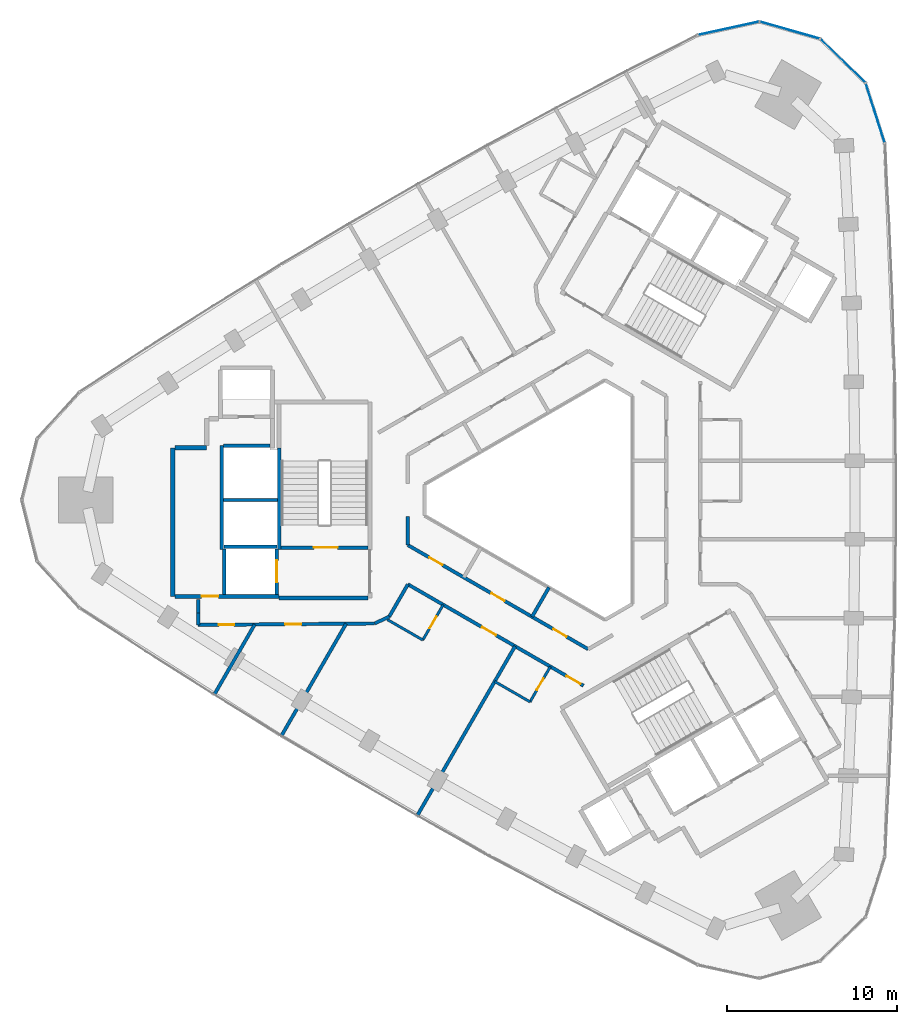
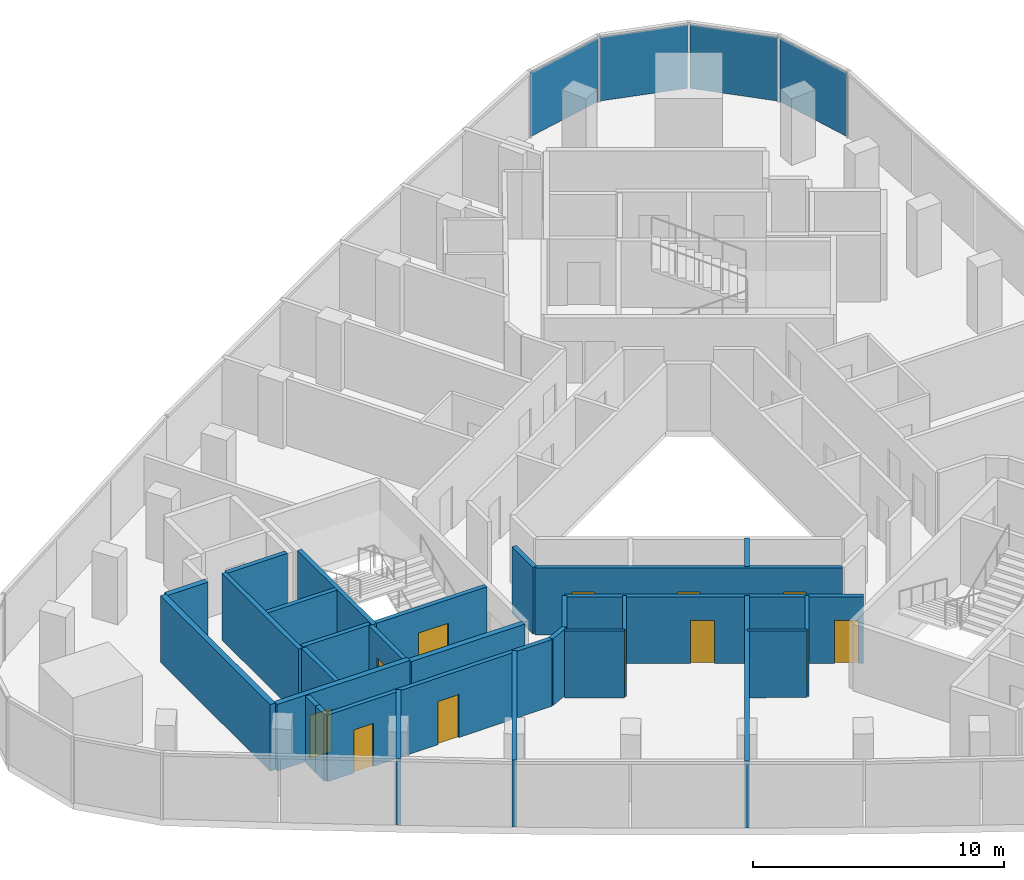
# One storey, part 7 of 12: 28 walls, 12 doors, 4 plates, 12 openings, 1 element without a shape of its own.
"""IFC4 building model written with IfcOpenShell, lengths in metres."""

from ifc_helpers import new_model, si_unit, direction, frame, frame_2d, origin, origin_2d, place, context, subcontext, project, spatial, rectangle, extrude, material, layer, layer_set, type_object, element, fill, aggregate, save


model = new_model("IFC4")

# Units and contexts
model_context = context("Model", 3, precision=1e-05, world=origin(), true_north=direction((0.0, 1.0)))
body_context = subcontext(model_context, "Body", "Model", "MODEL_VIEW")
ifc_project = project(units=[si_unit("LENGTHUNIT", "METRE"), si_unit("AREAUNIT", "SQUARE_METRE"), si_unit("VOLUMEUNIT", "CUBIC_METRE"), si_unit("PLANEANGLEUNIT", "RADIAN"), si_unit("MASSUNIT", "GRAM", prefix="KILO")], contexts=[model_context])

# Site, building, storey
site_placement = place(None, origin())
site = spatial("IfcSite", under=ifc_project, at=site_placement, CompositionType="ELEMENT")
building_placement = place(site_placement, origin())
building = spatial("IfcBuilding", under=site, at=building_placement, Name="Tamra Quay Hotel Tower", CompositionType="ELEMENT")
storey_placement = place(building_placement, frame((0.0, 0.0, 200.800048828125)))
storey = spatial("IfcBuildingStorey", under=building, at=storey_placement, Name="L50", CompositionType="ELEMENT", Elevation=200.800048828125)

# Curtain wall, plates
ifc_material_1 = material(Name="Aluminium 6063 anodised dark grey", Category="aluminium")
curtain_wall_type = type_object("IfcCurtainWallType", Name="CW1 CURTAIN WALL", PredefinedType="NOTDEFINED", material=ifc_material_1)
curtain_wall_placement = place(storey_placement, origin())
curtain_wall = element("IfcCurtainWall", 1, at=curtain_wall_placement, inside=storey, type_object=curtain_wall_type, Name="CW1 east face L50", PredefinedType="NOTDEFINED")
ifc_material_2 = material(Name="Glass clear laminated low-iron", Category="glass")
ifc_layer_1 = layer(ifc_material_2, 0.030029296875)
ifc_layer_set_1 = layer_set([ifc_layer_1], Name="GLASS PANEL CW1 Z4")
plate_type = type_object("IfcPlateType", Name="GLASS PANEL CW1 Z4", PredefinedType="CURTAIN_PANEL", material=ifc_layer_set_1)
plate_1_placement = place(storey_placement, frame((18.91064453125, 22.779541015625, 0.0), z_axis=(0.0, 0.0, 1.0), x_axis=(-0.303410479682, 0.952859948166, 0.0)))
plate_1 = element("IfcPlate", 2, at=plate_1_placement, type_object=plate_type, Name="CW1 glass L50.E.10", PredefinedType="CURTAIN_PANEL", context=body_context, shape_type="SweptSolid", body=[
    extrude(rectangle(XDim=3.62353515625, YDim=0.030029296875, at=origin_2d()), origin(), (0.0, 0.0, 1.0), 3.110107421875),
])
plate_2_placement = place(storey_placement, frame((17.009033203125, 25.849365234375, 0.0), z_axis=(0.0, 0.0, 1.0), x_axis=(-0.717974699393, 0.696069199888, 0.0)))
plate_2 = element("IfcPlate", 3, at=plate_2_placement, type_object=plate_type, Name="CW1 glass L50.E.11", PredefinedType="CURTAIN_PANEL", context=body_context, shape_type="SweptSolid", body=[
    extrude(rectangle(XDim=3.62353515625, YDim=0.030029296875, at=origin_2d()), origin(), (0.0, 0.0, 1.0), 3.110107421875),
])
plate_3_placement = place(storey_placement, frame((13.881591796875, 27.655029296875, 0.0), z_axis=(0.0, 0.0, 1.0), x_axis=(-0.961800959591, 0.273749729005, 0.0)))
plate_3 = element("IfcPlate", 4, at=plate_3_placement, type_object=plate_type, Name="CW1 glass L50.E.12", PredefinedType="CURTAIN_PANEL", context=body_context, shape_type="SweptSolid", body=[
    extrude(rectangle(XDim=3.62353515625, YDim=0.030029296875, at=origin_2d()), origin(), (0.0, 0.0, 1.0), 3.110107421875),
])
plate_4_placement = place(storey_placement, frame((10.272216796875, 27.766845703125, 0.0), z_axis=(0.0, 0.0, 1.0), x_axis=(-0.976906161202, -0.213668790904, 0.0)))
plate_4 = element("IfcPlate", 5, at=plate_4_placement, type_object=plate_type, Name="CW1 glass L50.E.13", PredefinedType="CURTAIN_PANEL", context=body_context, shape_type="SweptSolid", body=[
    extrude(rectangle(XDim=3.62353515625, YDim=0.030029296875, at=origin_2d()), origin(), (0.0, 0.0, 1.0), 3.110107421875),
])
aggregate(curtain_wall, [plate_1, plate_2, plate_3, plate_4])

# Walls
ifc_material_3 = material(Name="Concrete M70", Category="concrete")
ifc_layer_2 = layer(ifc_material_3, 0.199951171875)
ifc_layer_set_2 = layer_set([ifc_layer_2], Name="Concrete M70 core wall 200")
wall_type_1 = type_object("IfcWallType", Name="Concrete M70 core wall 200", PredefinedType="SHEAR", material=ifc_layer_set_2)
wall_1_placement = place(storey_placement, frame((-16.162109375, 3.073974609375, 0.0), z_axis=(0.0, 0.0, 1.0), x_axis=(0.0, -1.0, 0.0)))
element("IfcWall", 6, at=wall_1_placement, inside=storey, type_object=wall_type_1, Name="CW2", PredefinedType="SHEAR", context=body_context, shape_type="SweptSolid", body=[
    extrude(rectangle(XDim=5.97412109375, YDim=0.199951171875, at=frame_2d((2.987060546875, 0.0))), origin(), (0.0, 0.0, 1.0), 3.25),
])
wall_2_placement = place(storey_placement, frame((-19.5625, -2.900146484375, 0.0), z_axis=(0.0, 0.0, 1.0), x_axis=(0.0, 1.0, 0.0)))
element("IfcWall", 7, at=wall_2_placement, inside=storey, type_object=wall_type_1, Name="CW2", PredefinedType="SHEAR", context=body_context, shape_type="SweptSolid", body=[
    extrude(rectangle(XDim=6.100341796875, YDim=0.199951171875, at=frame_2d((3.05029296875, 0.0))), origin(), (0.0, 0.0, 1.0), 3.25),
])

# Wall, opening, door
wall_3_placement = place(storey_placement, frame((-10.96337890625, -2.800048828125, 0.0), z_axis=(0.0, 0.0, 1.0), x_axis=(-1.0, 0.0, 0.0)))
wall_3 = element("IfcWall", 8, at=wall_3_placement, inside=storey, type_object=wall_type_1, Name="CW2", PredefinedType="SHEAR", context=body_context, shape_type="SweptSolid", body=[
    extrude(rectangle(XDim=5.097900390625, YDim=0.199951171875, at=frame_2d((2.548828125, 0.0))), origin(), (0.0, 0.0, 1.0), 3.25),
])
opening_1_placement = place(wall_3_placement, frame((1.77392578125, 0.0, 0.0)))
opening_1 = element("IfcOpeningElement", 9, at=opening_1_placement, cuts=wall_3, Name="Opening FD2", PredefinedType="OPENING", context=body_context, shape_type="SweptSolid", body=[
    extrude(rectangle(XDim=1.39990234375, YDim=2.10009765625, at=frame_2d((0.699951171875, 1.050048828125))), frame((0.0, 0.10986328125, 0.0), z_axis=(0.0, -1.0, 0.0), x_axis=(1.0, 0.0, 0.0)), (0.0, 0.0, 1.0), 0.219970703125),
])
ifc_material_4 = material(Name="Core door FD2 1400x2100 RH")
door_type_1 = type_object("IfcDoorType", Name="Core door FD2 1400x2100 RH", OperationType="NOTDEFINED", PredefinedType="DOOR", material=ifc_material_4)
door_1_placement = place(opening_1_placement, origin())
door_1 = element("IfcDoor", 10, at=door_1_placement, inside=storey, type_object=door_type_1, Name="FD2", OperationType="SINGLE_SWING_RIGHT", OverallHeight=2.10009765625, OverallWidth=1.39990234375, PredefinedType="DOOR", context=body_context, shape_type="SweptSolid", body=[
    extrude(rectangle(XDim=1.39990234375, YDim=2.10009765625, at=frame_2d((0.699951171875, 1.050048828125))), frame((0.0, 0.02490234375, 0.0), z_axis=(0.0, -1.0, 0.0), x_axis=(1.0, 0.0, 0.0)), (0.0, 0.0, 1.0), 0.050048828125),
])
fill(opening_1, door_1)

# Walls
wall_4_placement = place(storey_placement, frame((-16.26318359375, 0.0, 0.0), z_axis=(0.0, 0.0, 1.0), x_axis=(-1.0, 0.0, 0.0)))
element("IfcWall", 11, at=wall_4_placement, inside=storey, type_object=wall_type_1, Name="CW2", PredefinedType="SHEAR", context=body_context, shape_type="SweptSolid", body=[
    extrude(rectangle(XDim=3.1982421875, YDim=0.199951171875, at=frame_2d((1.59912109375, 0.0))), origin(), (0.0, 0.0, 1.0), 3.25),
])
wall_5_placement = place(storey_placement, frame((-19.46240234375, 3.2001953125, 0.0), z_axis=(0.0, 0.0, 1.0), x_axis=(1.0, 0.0, 0.0)))
element("IfcWall", 12, at=wall_5_placement, inside=storey, type_object=wall_type_1, Name="CW2", PredefinedType="SHEAR", context=body_context, shape_type="SweptSolid", body=[
    extrude(rectangle(XDim=2.759033203125, YDim=0.199951171875, at=frame_2d((1.37939453125, 0.0))), origin(), (0.0, 0.0, 1.0), 3.25),
])
wall_6_placement = place(storey_placement, frame((-19.412353515625, -2.75, 0.0), z_axis=(0.0, 0.0, 1.0), x_axis=(1.0, 0.0, 0.0)))
element("IfcWall", 13, at=wall_6_placement, inside=storey, type_object=wall_type_1, Name="CW2", PredefinedType="SHEAR", context=body_context, shape_type="SweptSolid", body=[
    extrude(rectangle(XDim=3.10009765625, YDim=0.199951171875, at=frame_2d((1.550048828125, 0.0))), origin(), (0.0, 0.0, 1.0), 3.25),
])

# Wall, opening, door
wall_7_placement = place(storey_placement, frame((-16.312255859375, -2.898193359375, 0.0), z_axis=(0.0, 0.0, 1.0), x_axis=(0.0, -1.0, 0.0)))
wall_7 = element("IfcWall", 14, at=wall_7_placement, inside=storey, type_object=wall_type_1, Name="CW2", PredefinedType="SHEAR", context=body_context, shape_type="SweptSolid", body=[
    extrude(rectangle(XDim=2.65087890625, YDim=0.199951171875, at=frame_2d((1.325439453125, 0.0))), origin(), (0.0, 0.0, 1.0), 3.25),
])
opening_2_placement = place(wall_7_placement, frame((0.65185546875, 0.0, 0.0)))
opening_2 = element("IfcOpeningElement", 15, at=opening_2_placement, cuts=wall_7, Name="Opening LD", PredefinedType="OPENING", context=body_context, shape_type="SweptSolid", body=[
    extrude(rectangle(XDim=1.300048828125, YDim=2.10009765625, at=frame_2d((0.64990234375, 1.050048828125))), frame((0.0, 0.10986328125, 0.0), z_axis=(0.0, -1.0, 0.0), x_axis=(1.0, 0.0, 0.0)), (0.0, 0.0, 1.0), 0.219970703125),
])
ifc_material_5 = material(Name="Landing door LD 1300 sliding to right")
door_type_2 = type_object("IfcDoorType", Name="Landing door LD 1300 sliding to right", OperationType="NOTDEFINED", PredefinedType="DOOR", material=ifc_material_5)
door_2_placement = place(opening_2_placement, origin())
door_2 = element("IfcDoor", 16, at=door_2_placement, inside=storey, type_object=door_type_2, Name="LD", OperationType="SLIDING_TO_RIGHT", OverallHeight=2.10009765625, OverallWidth=1.300048828125, PredefinedType="DOOR", context=body_context, shape_type="SweptSolid", body=[
    extrude(rectangle(XDim=1.300048828125, YDim=2.10009765625, at=frame_2d((0.64990234375, 1.050048828125))), frame((0.0, 0.02490234375, 0.0), z_axis=(0.0, -1.0, 0.0), x_axis=(1.0, 0.0, 0.0)), (0.0, 0.0, 1.0), 0.050048828125),
])
fill(opening_2, door_2)

# Walls
wall_8_placement = place(storey_placement, frame((-19.412353515625, -5.549072265625, 0.0), z_axis=(0.0, 0.0, 1.0), x_axis=(0.0, 1.0, 0.0)))
element("IfcWall", 17, at=wall_8_placement, inside=storey, type_object=wall_type_1, Name="CW2", PredefinedType="SHEAR", context=body_context, shape_type="SweptSolid", body=[
    extrude(rectangle(XDim=2.65087890625, YDim=0.199951171875, at=frame_2d((1.325439453125, 0.0))), origin(), (0.0, 0.0, 1.0), 3.25),
])
ifc_layer_3 = layer(ifc_material_3, 0.25)
ifc_layer_set_3 = layer_set([ifc_layer_3], Name="Concrete M70 core wall 250")
wall_type_2 = type_object("IfcWallType", Name="Concrete M70 core wall 250", PredefinedType="SHEAR", material=ifc_layer_set_3)
wall_9_placement = place(storey_placement, frame((-22.437255859375, -5.675048828125, 0.0), z_axis=(0.0, 0.0, 1.0), x_axis=(0.0, 1.0, 0.0)))
element("IfcWall", 18, at=wall_9_placement, inside=storey, type_object=wall_type_2, Name="CW1", PredefinedType="SHEAR", context=body_context, shape_type="SweptSolid", body=[
    extrude(rectangle(XDim=8.75, YDim=0.25, at=frame_2d((4.375, 0.0))), origin(), (0.0, 0.0, 1.0), 3.25),
])

# Wall, opening, door
wall_10_placement = place(storey_placement, frame((-16.187255859375, -5.675048828125, 0.0), z_axis=(0.0, 0.0, 1.0), x_axis=(-1.0, 0.0, 0.0)))
wall_10 = element("IfcWall", 19, at=wall_10_placement, inside=storey, type_object=wall_type_2, Name="CW1", PredefinedType="SHEAR", context=body_context, shape_type="SweptSolid", body=[
    extrude(rectangle(XDim=6.12451171875, YDim=0.25, at=frame_2d((3.062255859375, 0.0))), origin(), (0.0, 0.0, 1.0), 3.25),
])
opening_3_placement = place(wall_10_placement, frame((3.562744140625, 0.0, 0.0)))
opening_3 = element("IfcOpeningElement", 20, at=opening_3_placement, cuts=wall_10, Name="Opening FD3", PredefinedType="OPENING", context=body_context, shape_type="SweptSolid", body=[
    extrude(rectangle(XDim=1.0, YDim=2.10009765625, at=frame_2d((0.5, 1.050048828125))), frame((0.0, 0.135009765625, 0.0), z_axis=(0.0, -1.0, 0.0), x_axis=(1.0, 0.0, 0.0)), (0.0, 0.0, 1.0), 0.27001953125),
])
ifc_material_6 = material(Name="Core door FD3 1000x2100 LH")
door_type_3 = type_object("IfcDoorType", Name="Core door FD3 1000x2100 LH", OperationType="NOTDEFINED", PredefinedType="DOOR", material=ifc_material_6)
door_3_placement = place(opening_3_placement, origin())
door_3 = element("IfcDoor", 21, at=door_3_placement, inside=storey, type_object=door_type_3, Name="FD3", OperationType="SINGLE_SWING_LEFT", OverallHeight=2.10009765625, OverallWidth=1.0, PredefinedType="DOOR", context=body_context, shape_type="SweptSolid", body=[
    extrude(rectangle(XDim=1.0, YDim=2.10009765625, at=frame_2d((0.5, 1.050048828125))), frame((0.0, 0.02490234375, 0.0), z_axis=(0.0, -1.0, 0.0), x_axis=(1.0, 0.0, 0.0)), (0.0, 0.0, 1.0), 0.050048828125),
])
fill(opening_3, door_3)

# Walls
wall_11_placement = place(storey_placement, frame((-10.962646484375, -5.77490234375, 0.0), z_axis=(0.0, 0.0, 1.0), x_axis=(-1.0, 0.0, 0.0)))
element("IfcWall", 22, at=wall_11_placement, inside=storey, type_object=wall_type_2, Name="CW1", PredefinedType="SHEAR", context=body_context, shape_type="SweptSolid", body=[
    extrude(rectangle(XDim=5.224609375, YDim=0.25, at=frame_2d((2.6123046875, 0.0))), origin(), (0.0, 0.0, 1.0), 3.25),
])
wall_12_placement = place(storey_placement, frame((-22.311767578125, 3.074951171875, 0.0), z_axis=(0.0, 0.0, 1.0), x_axis=(1.0, 0.0, 0.0)))
element("IfcWall", 23, at=wall_12_placement, inside=storey, type_object=wall_type_2, Name="CW1", PredefinedType="SHEAR", context=body_context, shape_type="SweptSolid", body=[
    extrude(rectangle(XDim=1.864501953125, YDim=0.25, at=frame_2d((0.93212890625, 0.0))), origin(), (0.0, 0.0, 1.0), 3.25),
])
ifc_material_7 = material(Name="Partition corridor wall")
ifc_layer_4 = layer(ifc_material_7, 0.199951171875)
ifc_layer_set_4 = layer_set([ifc_layer_4], Name="Partition corridor wall")
wall_type_3 = type_object("IfcWallType", Name="Partition corridor wall", PredefinedType="PARTITIONING", material=ifc_layer_set_4)
wall_13_placement = place(storey_placement, frame((-20.949951171875, -6.64990234375, 0.0), z_axis=(0.0, 0.0, 1.0), x_axis=(0.0, 1.0, 0.0)))
element("IfcWall", 24, at=wall_13_placement, inside=storey, type_object=wall_type_3, Name="W-C", PredefinedType="PARTITIONING", context=body_context, shape_type="SweptSolid", body=[
    extrude(rectangle(XDim=0.789794921875, YDim=0.199951171875, at=frame_2d((0.39501953125, 0.0))), origin(), (0.0, 0.0, 1.0), 3.25),
])
wall_14_placement = place(storey_placement, frame((-20.947021484375, -6.653076171875, 0.0), z_axis=(0.0, 0.0, 1.0), x_axis=(0.004173876686, -0.999991289339, 0.0)))
element("IfcWall", 25, at=wall_14_placement, inside=storey, type_object=wall_type_3, Name="W-C", PredefinedType="PARTITIONING", context=body_context, shape_type="SweptSolid", body=[
    extrude(rectangle(XDim=0.701904296875, YDim=0.199951171875, at=frame_2d((0.35107421875, 0.0))), origin(), (0.0, 0.0, 1.0), 3.25),
])

# Wall, openings, doors
wall_15_placement = place(storey_placement, frame((-20.944091796875, -7.35595703125, 0.0), z_axis=(0.0, 0.0, 1.0), x_axis=(0.999964824566, 0.00838746869, 0.0)))
wall_15 = element("IfcWall", 26, at=wall_15_placement, inside=storey, type_object=wall_type_3, Name="W-C", PredefinedType="PARTITIONING", context=body_context, shape_type="SweptSolid", body=[
    extrude(rectangle(XDim=10.391357421875, YDim=0.199951171875, at=frame_2d((5.19580078125, 0.0))), origin(), (0.0, 0.0, 1.0), 3.25),
])
opening_4_placement = place(wall_15_placement, frame((1.22021484375, 0.0, 0.0)))
opening_4 = element("IfcOpeningElement", 27, at=opening_4_placement, cuts=wall_15, Name="Opening L50-D015", PredefinedType="OPENING", context=body_context, shape_type="SweptSolid", body=[
    extrude(rectangle(XDim=0.89990234375, YDim=2.10009765625, at=frame_2d((0.449951171875, 1.050048828125))), frame((0.0, 0.10986328125, 0.0), z_axis=(0.0, -1.0, 0.0), x_axis=(1.0, 0.0, 0.0)), (0.0, 0.0, 1.0), 0.219970703125),
])
opening_5_placement = place(wall_15_placement, frame((5.119384765625, 0.0, 0.0)))
opening_5 = element("IfcOpeningElement", 28, at=opening_5_placement, cuts=wall_15, Name="Opening L50-D016", PredefinedType="OPENING", context=body_context, shape_type="SweptSolid", body=[
    extrude(rectangle(XDim=0.949951171875, YDim=2.10009765625, at=frame_2d((0.47509765625, 1.050048828125))), frame((0.0, 0.10986328125, 0.0), z_axis=(0.0, -1.0, 0.0), x_axis=(1.0, 0.0, 0.0)), (0.0, 0.0, 1.0), 0.219970703125),
])
ifc_material_8 = material(Name="Door guest room 950x2100")
door_type_4 = type_object("IfcDoorType", Name="Door guest room 950x2100", OperationType="NOTDEFINED", PredefinedType="DOOR", material=ifc_material_8)
door_4_placement = place(opening_5_placement, frame((0.949951171875, 0.0, 0.0), z_axis=(0.0, 0.0, 1.0), x_axis=(-1.0, 0.0, 0.0)))
door_4 = element("IfcDoor", 29, at=door_4_placement, inside=storey, type_object=door_type_4, Name="L50-D016", OperationType="SINGLE_SWING_LEFT", OverallHeight=2.10009765625, OverallWidth=0.949951171875, PredefinedType="DOOR", context=body_context, shape_type="SweptSolid", body=[
    extrude(rectangle(XDim=0.949951171875, YDim=2.10009765625, at=frame_2d((0.47509765625, 1.050048828125))), frame((0.0, 0.02490234375, 0.0), z_axis=(0.0, -1.0, 0.0), x_axis=(1.0, 0.0, 0.0)), (0.0, 0.0, 1.0), 0.050048828125),
])
fill(opening_5, door_4)
ifc_material_9 = material(Name="Door service room 900x2100")
door_type_5 = type_object("IfcDoorType", Name="Door service room 900x2100", OperationType="NOTDEFINED", PredefinedType="DOOR", material=ifc_material_9)
door_5_placement = place(opening_4_placement, origin())
door_5 = element("IfcDoor", 30, at=door_5_placement, inside=storey, type_object=door_type_5, Name="L50-D015", OperationType="SINGLE_SWING_LEFT", OverallHeight=2.10009765625, OverallWidth=0.89990234375, PredefinedType="DOOR", context=body_context, shape_type="SweptSolid", body=[
    extrude(rectangle(XDim=0.89990234375, YDim=2.10009765625, at=frame_2d((0.449951171875, 1.050048828125))), frame((0.0, 0.02490234375, 0.0), z_axis=(0.0, -1.0, 0.0), x_axis=(1.0, 0.0, 0.0)), (0.0, 0.0, 1.0), 0.050048828125),
])
fill(opening_4, door_5)

# Walls
wall_16_placement = place(storey_placement, frame((-10.552001953125, -7.26806640625, 0.0), z_axis=(0.0, 0.0, 1.0), x_axis=(0.904331815333, 0.426830139255, 0.0)))
element("IfcWall", 31, at=wall_16_placement, inside=storey, type_object=wall_type_3, Name="W-C", PredefinedType="PARTITIONING", context=body_context, shape_type="SweptSolid", body=[
    extrude(rectangle(XDim=0.9443359375, YDim=0.199951171875, at=frame_2d((0.47216796875, 0.0))), origin(), (0.0, 0.0, 1.0), 3.25),
])
wall_17_placement = place(storey_placement, frame((-9.697021484375, -6.864013671875, 0.0), z_axis=(0.0, 0.0, 1.0), x_axis=(0.499863831834, 0.866104006239, 0.0)))
element("IfcWall", 32, at=wall_17_placement, inside=storey, type_object=wall_type_3, Name="W-C", PredefinedType="PARTITIONING", context=body_context, shape_type="SweptSolid", body=[
    extrude(rectangle(XDim=2.1923828125, YDim=0.199951171875, at=frame_2d((1.09619140625, 0.0))), origin(), (0.0, 0.0, 1.0), 3.25),
])
wall_18_placement = place(storey_placement, frame((-8.612060546875, -2.64892578125, 0.0), z_axis=(0.0, 0.0, 1.0), x_axis=(0.0, 1.0, 0.0)))
element("IfcWall", 33, at=wall_18_placement, inside=storey, type_object=wall_type_3, Name="W-C", PredefinedType="PARTITIONING", context=body_context, shape_type="SweptSolid", body=[
    extrude(rectangle(XDim=1.6669921875, YDim=0.199951171875, at=frame_2d((0.83349609375, 0.0))), origin(), (0.0, 0.0, 1.0), 3.25),
])

# Wall, openings, doors
wall_19_placement = place(storey_placement, frame((-8.612060546875, -2.64892578125, 0.0), z_axis=(0.0, 0.0, 1.0), x_axis=(0.866060983284, -0.499938369435, 0.0)))
wall_19 = element("IfcWall", 34, at=wall_19_placement, inside=storey, type_object=wall_type_3, Name="W-C", PredefinedType="PARTITIONING", context=body_context, shape_type="SweptSolid", body=[
    extrude(rectangle(XDim=12.267578125, YDim=0.199951171875, at=frame_2d((6.1337890625, 0.0))), origin(), (0.0, 0.0, 1.0), 3.25),
])
opening_6_placement = place(wall_19_placement, frame((1.46337890625, 0.0, 0.0)))
opening_6 = element("IfcOpeningElement", 35, at=opening_6_placement, cuts=wall_19, Name="Opening L50-D027", PredefinedType="OPENING", context=body_context, shape_type="SweptSolid", body=[
    extrude(rectangle(XDim=0.89990234375, YDim=2.10009765625, at=frame_2d((0.449951171875, 1.050048828125))), frame((0.0, 0.10986328125, 0.0), z_axis=(0.0, -1.0, 0.0), x_axis=(1.0, 0.0, 0.0)), (0.0, 0.0, 1.0), 0.219970703125),
])
opening_7_placement = place(wall_19_placement, frame((5.683349609375, 0.0, 0.0)))
opening_7 = element("IfcOpeningElement", 36, at=opening_7_placement, cuts=wall_19, Name="Opening L50-D028", PredefinedType="OPENING", context=body_context, shape_type="SweptSolid", body=[
    extrude(rectangle(XDim=0.89990234375, YDim=2.10009765625, at=frame_2d((0.449951171875, 1.050048828125))), frame((0.0, 0.10986328125, 0.0), z_axis=(0.0, -1.0, 0.0), x_axis=(1.0, 0.0, 0.0)), (0.0, 0.0, 1.0), 0.219970703125),
])
opening_8_placement = place(wall_19_placement, frame((9.904052734375, 0.0, 0.0)))
opening_8 = element("IfcOpeningElement", 37, at=opening_8_placement, cuts=wall_19, Name="Opening L50-D029", PredefinedType="OPENING", context=body_context, shape_type="SweptSolid", body=[
    extrude(rectangle(XDim=0.89990234375, YDim=2.10009765625, at=frame_2d((0.449951171875, 1.050048828125))), frame((0.0, 0.10986328125, 0.0), z_axis=(0.0, -1.0, 0.0), x_axis=(1.0, 0.0, 0.0)), (0.0, 0.0, 1.0), 0.219970703125),
])
door_6_placement = place(opening_6_placement, origin())
door_6 = element("IfcDoor", 38, at=door_6_placement, inside=storey, type_object=door_type_5, Name="L50-D027", OperationType="SINGLE_SWING_LEFT", OverallHeight=2.10009765625, OverallWidth=0.89990234375, PredefinedType="DOOR", context=body_context, shape_type="SweptSolid", body=[
    extrude(rectangle(XDim=0.89990234375, YDim=2.10009765625, at=frame_2d((0.449951171875, 1.050048828125))), frame((0.0, 0.02490234375, 0.0), z_axis=(0.0, -1.0, 0.0), x_axis=(1.0, 0.0, 0.0)), (0.0, 0.0, 1.0), 0.050048828125),
])
fill(opening_6, door_6)
door_7_placement = place(opening_7_placement, origin())
door_7 = element("IfcDoor", 39, at=door_7_placement, inside=storey, type_object=door_type_5, Name="L50-D028", OperationType="SINGLE_SWING_LEFT", OverallHeight=2.10009765625, OverallWidth=0.89990234375, PredefinedType="DOOR", context=body_context, shape_type="SweptSolid", body=[
    extrude(rectangle(XDim=0.89990234375, YDim=2.10009765625, at=frame_2d((0.449951171875, 1.050048828125))), frame((0.0, 0.02490234375, 0.0), z_axis=(0.0, -1.0, 0.0), x_axis=(1.0, 0.0, 0.0)), (0.0, 0.0, 1.0), 0.050048828125),
])
fill(opening_7, door_7)
door_8_placement = place(opening_8_placement, origin())
door_8 = element("IfcDoor", 40, at=door_8_placement, inside=storey, type_object=door_type_5, Name="L50-D029", OperationType="SINGLE_SWING_LEFT", OverallHeight=2.10009765625, OverallWidth=0.89990234375, PredefinedType="DOOR", context=body_context, shape_type="SweptSolid", body=[
    extrude(rectangle(XDim=0.89990234375, YDim=2.10009765625, at=frame_2d((0.449951171875, 1.050048828125))), frame((0.0, 0.02490234375, 0.0), z_axis=(0.0, -1.0, 0.0), x_axis=(1.0, 0.0, 0.0)), (0.0, 0.0, 1.0), 0.050048828125),
])
fill(opening_8, door_8)

wall_20_placement = place(storey_placement, frame((-8.600830078125, -4.964599609375, 0.0), z_axis=(0.0, 0.0, 1.0), x_axis=(0.866011155539, -0.500024677872, 0.0)))
wall_20 = element("IfcWall", 41, at=wall_20_placement, inside=storey, type_object=wall_type_3, Name="W-C", PredefinedType="PARTITIONING", context=body_context, shape_type="SweptSolid", body=[
    extrude(rectangle(XDim=11.93408203125, YDim=0.199951171875, at=frame_2d((5.967041015625, 0.0))), origin(), (0.0, 0.0, 1.0), 3.25),
])
opening_9_placement = place(wall_20_placement, frame((5.038818359375, 0.0, 0.0)))
opening_9 = element("IfcOpeningElement", 42, at=opening_9_placement, cuts=wall_20, Name="Opening L50-D017", PredefinedType="OPENING", context=body_context, shape_type="SweptSolid", body=[
    extrude(rectangle(XDim=0.949951171875, YDim=2.10009765625, at=frame_2d((0.47509765625, 1.050048828125))), frame((0.0, 0.10986328125, 0.0), z_axis=(0.0, -1.0, 0.0), x_axis=(1.0, 0.0, 0.0)), (0.0, 0.0, 1.0), 0.219970703125),
])
opening_10_placement = place(wall_20_placement, frame((10.783935546875, 0.0, 0.0)))
opening_10 = element("IfcOpeningElement", 43, at=opening_10_placement, cuts=wall_20, Name="Opening L50-D019", PredefinedType="OPENING", context=body_context, shape_type="SweptSolid", body=[
    extrude(rectangle(XDim=0.949951171875, YDim=2.10009765625, at=frame_2d((0.47509765625, 1.050048828125))), frame((0.0, 0.10986328125, 0.0), z_axis=(0.0, -1.0, 0.0), x_axis=(1.0, 0.0, 0.0)), (0.0, 0.0, 1.0), 0.219970703125),
])
door_9_placement = place(opening_9_placement, frame((0.949951171875, 0.0, 0.0), z_axis=(0.0, 0.0, 1.0), x_axis=(-1.0, 0.0, 0.0)))
door_9 = element("IfcDoor", 44, at=door_9_placement, inside=storey, type_object=door_type_4, Name="L50-D017", OperationType="SINGLE_SWING_LEFT", OverallHeight=2.10009765625, OverallWidth=0.949951171875, PredefinedType="DOOR", context=body_context, shape_type="SweptSolid", body=[
    extrude(rectangle(XDim=0.949951171875, YDim=2.10009765625, at=frame_2d((0.47509765625, 1.050048828125))), frame((0.0, 0.02490234375, 0.0), z_axis=(0.0, -1.0, 0.0), x_axis=(1.0, 0.0, 0.0)), (0.0, 0.0, 1.0), 0.050048828125),
])
fill(opening_9, door_9)
door_10_placement = place(opening_10_placement, frame((0.949951171875, 0.0, 0.0), z_axis=(0.0, 0.0, 1.0), x_axis=(-1.0, 0.0, 0.0)))
door_10 = element("IfcDoor", 45, at=door_10_placement, inside=storey, type_object=door_type_4, Name="L50-D019", OperationType="SINGLE_SWING_LEFT", OverallHeight=2.10009765625, OverallWidth=0.949951171875, PredefinedType="DOOR", context=body_context, shape_type="SweptSolid", body=[
    extrude(rectangle(XDim=0.949951171875, YDim=2.10009765625, at=frame_2d((0.47509765625, 1.050048828125))), frame((0.0, 0.02490234375, 0.0), z_axis=(0.0, -1.0, 0.0), x_axis=(1.0, 0.0, 0.0)), (0.0, 0.0, 1.0), 0.050048828125),
])
fill(opening_10, door_10)

# Wall
ifc_material_10 = material(Name="Partition en-suite wall")
ifc_layer_5 = layer(ifc_material_10, 0.14990234375)
ifc_layer_set_5 = layer_set([ifc_layer_5], Name="Partition en-suite wall")
wall_type_4 = type_object("IfcWallType", Name="Partition en-suite wall", PredefinedType="PARTITIONING", material=ifc_layer_set_5)
wall_21_placement = place(storey_placement, frame((-9.801025390625, -7.0439453125, 0.0), z_axis=(0.0, 0.0, 1.0), x_axis=(0.866277021052, -0.499563932643, 0.0)))
element("IfcWall", 46, at=wall_21_placement, inside=storey, type_object=wall_type_4, Name="W-E", PredefinedType="PARTITIONING", context=body_context, shape_type="SweptSolid", body=[
    extrude(rectangle(XDim=2.400146484375, YDim=0.14990234375, at=frame_2d((1.2001953125, 0.0))), origin(), (0.0, 0.0, 1.0), 3.25),
])

# Wall, opening, door
wall_22_placement = place(storey_placement, frame((-7.721923828125, -8.242919921875, 0.0), z_axis=(0.0, 0.0, 1.0), x_axis=(0.500089422704, 0.865973769406, 0.0)))
wall_22 = element("IfcWall", 47, at=wall_22_placement, inside=storey, type_object=wall_type_4, Name="W-E", PredefinedType="PARTITIONING", context=body_context, shape_type="SweptSolid", body=[
    extrude(rectangle(XDim=2.3994140625, YDim=0.14990234375, at=frame_2d((1.19970703125, 0.0))), origin(), (0.0, 0.0, 1.0), 3.25),
])
opening_11_placement = place(wall_22_placement, frame((0.799560546875, 0.0, 0.0)))
opening_11 = element("IfcOpeningElement", 48, at=opening_11_placement, cuts=wall_22, Name="Opening L50-D018", PredefinedType="OPENING", context=body_context, shape_type="SweptSolid", body=[
    extrude(rectangle(XDim=0.800048828125, YDim=2.10009765625, at=frame_2d((0.39990234375, 1.050048828125))), frame((0.0, 0.0849609375, 0.0), z_axis=(0.0, -1.0, 0.0), x_axis=(1.0, 0.0, 0.0)), (0.0, 0.0, 1.0), 0.169921875),
])
ifc_material_11 = material(Name="Door en-suite 800x2100")
door_type_6 = type_object("IfcDoorType", Name="Door en-suite 800x2100", OperationType="NOTDEFINED", PredefinedType="DOOR", material=ifc_material_11)
door_11_placement = place(opening_11_placement, frame((0.800048828125, 0.0, 0.0), z_axis=(0.0, 0.0, 1.0), x_axis=(-1.0, 0.0, 0.0)))
door_11 = element("IfcDoor", 49, at=door_11_placement, inside=storey, type_object=door_type_6, Name="L50-D018", OperationType="SINGLE_SWING_LEFT", OverallHeight=2.10009765625, OverallWidth=0.800048828125, PredefinedType="DOOR", context=body_context, shape_type="SweptSolid", body=[
    extrude(rectangle(XDim=0.800048828125, YDim=2.10009765625, at=frame_2d((0.39990234375, 1.050048828125))), frame((0.0, 0.02490234375, 0.0), z_axis=(0.0, -1.0, 0.0), x_axis=(1.0, 0.0, 0.0)), (0.0, 0.0, 1.0), 0.050048828125),
])
fill(opening_11, door_11)

# Wall
wall_23_placement = place(storey_placement, frame((-3.490966796875, -10.68310546875, 0.0), z_axis=(0.0, 0.0, 1.0), x_axis=(0.866249990711, -0.499610802118, 0.0)))
element("IfcWall", 50, at=wall_23_placement, inside=storey, type_object=wall_type_4, Name="W-E", PredefinedType="PARTITIONING", context=body_context, shape_type="SweptSolid", body=[
    extrude(rectangle(XDim=2.39794921875, YDim=0.14990234375, at=frame_2d((1.198974609375, 0.0))), origin(), (0.0, 0.0, 1.0), 3.25),
])

# Wall, opening, door
wall_24_placement = place(storey_placement, frame((-1.410888671875, -11.882080078125, 0.0), z_axis=(0.0, 0.0, 1.0), x_axis=(0.49923627015, 0.866465894635, 0.0)))
wall_24 = element("IfcWall", 51, at=wall_24_placement, inside=storey, type_object=wall_type_4, Name="W-E", PredefinedType="PARTITIONING", context=body_context, shape_type="SweptSolid", body=[
    extrude(rectangle(XDim=2.391357421875, YDim=0.14990234375, at=frame_2d((1.19580078125, 0.0))), origin(), (0.0, 0.0, 1.0), 3.25),
])
opening_12_placement = place(wall_24_placement, frame((0.795654296875, 0.0, 0.0)))
opening_12 = element("IfcOpeningElement", 52, at=opening_12_placement, cuts=wall_24, Name="Opening L50-D020", PredefinedType="OPENING", context=body_context, shape_type="SweptSolid", body=[
    extrude(rectangle(XDim=0.800048828125, YDim=2.10009765625, at=frame_2d((0.39990234375, 1.050048828125))), frame((0.0, 0.0849609375, 0.0), z_axis=(0.0, -1.0, 0.0), x_axis=(1.0, 0.0, 0.0)), (0.0, 0.0, 1.0), 0.169921875),
])
door_12_placement = place(opening_12_placement, frame((0.800048828125, 0.0, 0.0), z_axis=(0.0, 0.0, 1.0), x_axis=(-1.0, 0.0, 0.0)))
door_12 = element("IfcDoor", 53, at=door_12_placement, inside=storey, type_object=door_type_6, Name="L50-D020", OperationType="SINGLE_SWING_LEFT", OverallHeight=2.10009765625, OverallWidth=0.800048828125, PredefinedType="DOOR", context=body_context, shape_type="SweptSolid", body=[
    extrude(rectangle(XDim=0.800048828125, YDim=2.10009765625, at=frame_2d((0.39990234375, 1.050048828125))), frame((0.0, 0.02490234375, 0.0), z_axis=(0.0, -1.0, 0.0), x_axis=(1.0, 0.0, 0.0)), (0.0, 0.0, 1.0), 0.050048828125),
])
fill(opening_12, door_12)

# Walls
ifc_material_12 = material(Name="Partition party wall")
ifc_layer_6 = layer(ifc_material_12, 0.199951171875)
ifc_layer_set_6 = layer_set([ifc_layer_6], Name="Partition party wall")
wall_type_5 = type_object("IfcWallType", Name="Partition party wall", PredefinedType="PARTITIONING", material=ifc_layer_set_6)
wall_25_placement = place(storey_placement, frame((-20.000732421875, -11.461181640625, 0.0), z_axis=(0.0, 0.0, 1.0), x_axis=(0.499749027893, 0.866170254119, 0.0)))
element("IfcWall", 54, at=wall_25_placement, inside=storey, type_object=wall_type_5, Name="W-P", PredefinedType="PARTITIONING", context=body_context, shape_type="SweptSolid", body=[
    extrude(rectangle(XDim=4.77197265625, YDim=0.199951171875, at=frame_2d((2.385986328125, 0.0))), origin(), (0.0, 0.0, 1.0), 3.25),
])
wall_26_placement = place(storey_placement, frame((-16.050048828125, -13.889892578125, 0.0), z_axis=(0.0, 0.0, 1.0), x_axis=(0.499849898665, 0.866112047488, 0.0)))
element("IfcWall", 55, at=wall_26_placement, inside=storey, type_object=wall_type_5, Name="W-P", PredefinedType="PARTITIONING", context=body_context, shape_type="SweptSolid", body=[
    extrude(rectangle(XDim=7.628173828125, YDim=0.199951171875, at=frame_2d((3.81396484375, 0.0))), origin(), (0.0, 0.0, 1.0), 3.25),
])
wall_27_placement = place(storey_placement, frame((-8.051513671875, -18.58203125, 0.0), z_axis=(0.0, 0.0, 1.0), x_axis=(0.500025795397, 0.866010510293, 0.0)))
element("IfcWall", 56, at=wall_27_placement, inside=storey, type_object=wall_type_5, Name="W-P", PredefinedType="PARTITIONING", context=body_context, shape_type="SweptSolid", body=[
    extrude(rectangle(XDim=11.5185546875, YDim=0.199951171875, at=frame_2d((5.75927734375, 0.0))), origin(), (0.0, 0.0, 1.0), 3.25),
])
wall_28_placement = place(storey_placement, frame((-1.2919921875, -6.875, 0.0), z_axis=(0.0, 0.0, 1.0), x_axis=(0.50011692451, 0.865957886862, 0.0)))
element("IfcWall", 57, at=wall_28_placement, inside=storey, type_object=wall_type_5, Name="W-P", PredefinedType="PARTITIONING", context=body_context, shape_type="SweptSolid", body=[
    extrude(rectangle(XDim=2.0, YDim=0.199951171875, at=frame_2d((1.0, 0.0))), origin(), (0.0, 0.0, 1.0), 3.25),
])

save(model, "model.ifc")
